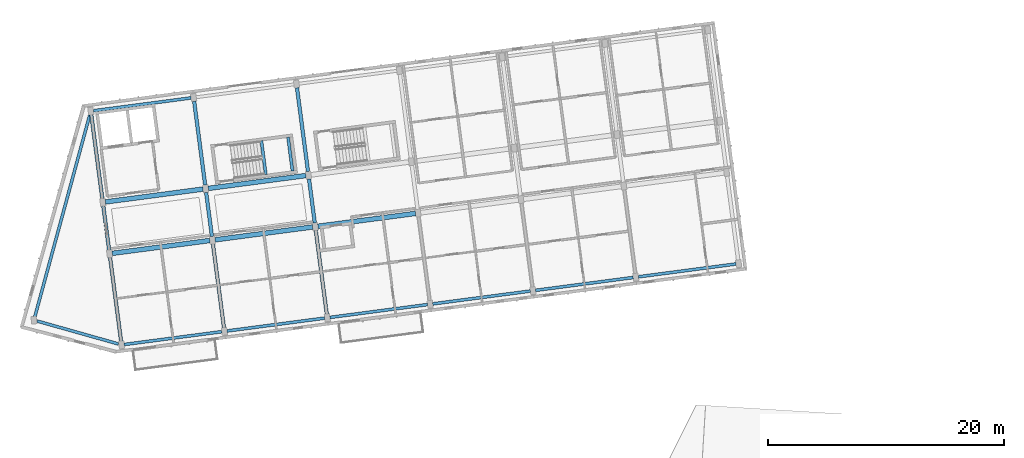
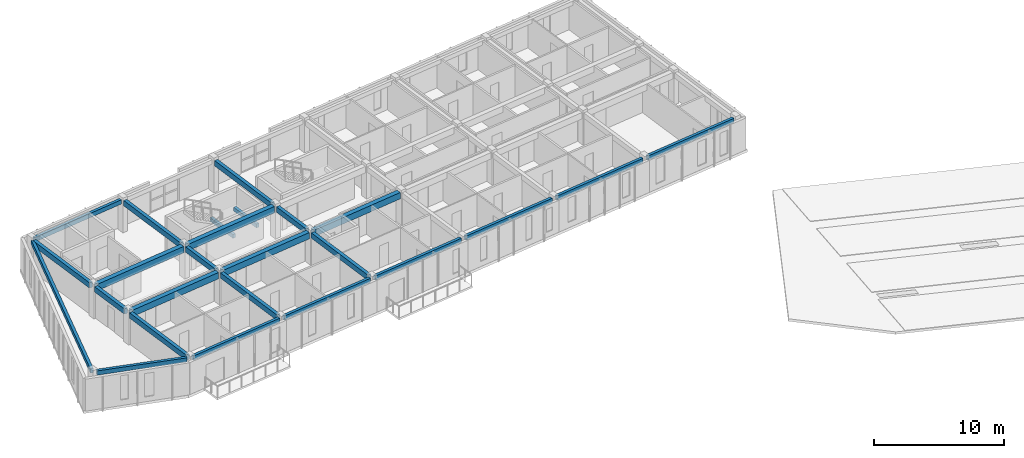
# One storey, part 3 of 34: 25 beams.
"""IFC4 building model written with IfcOpenShell, lengths in metres."""

from ifc_helpers import new_model, si_unit, direction, frame, origin, origin_2d, place, context, subcontext, project, spatial, rectangle, extrude, material, material_profile, profile_set, type_object, element, save


model = new_model("IFC4")

# Units and contexts
model_context = context("Model", 3, precision=1e-05, world=origin(), true_north=direction((0.0, 1.0)))
body_context = subcontext(model_context, "Body", "Model", "MODEL_VIEW")
ifc_project = project(units=[si_unit("LENGTHUNIT", "METRE"), si_unit("AREAUNIT", "SQUARE_METRE"), si_unit("VOLUMEUNIT", "CUBIC_METRE"), si_unit("PLANEANGLEUNIT", "RADIAN"), si_unit("MASSUNIT", "GRAM", prefix="KILO")], contexts=[model_context])

# Site, building, storey
site_placement = place(None, origin())
site = spatial("IfcSite", under=ifc_project, at=site_placement, CompositionType="ELEMENT")
building_placement = place(site_placement, origin())
building = spatial("IfcBuilding", under=site, at=building_placement, Name="Kestramere Prow Commons", CompositionType="ELEMENT")
storey_placement = place(building_placement, frame((0.0, 0.0, 34.39990234375)))
storey = spatial("IfcBuildingStorey", under=building, at=storey_placement, Name="L10", CompositionType="ELEMENT", Elevation=34.39990234375)

# Beams
ifc_material_1 = material(Name="Precast concrete C40/50", Category="concrete")
ifc_material_profile_1 = material_profile(ifc_material_1, rectangle(XDim=0.39990234375, YDim=0.60009765625, at=origin_2d()), Name="PC-BM 400x600")
ifc_profile_set_1 = profile_set([ifc_material_profile_1], Name="Precast concrete C40/50")
beam_type_1 = type_object("IfcBeamType", Name="BM-A1 PC-BM 400x600", PredefinedType="BEAM", material=ifc_profile_set_1)
for number, where, z_axis, x_axis, name in (
    (1, (10.405029296875, 79.7626953125, 2.7001953125), (0.991445635283, 0.13052031366, 0.0), (-0.13052031366, 0.991445635283, 0.0), "Block A L10 Longitudinal Beam 2-1"),
    (2, (19.129638671875, 80.911376953125, 2.7001953125), (0.991445635283, 0.13052031366, 0.0), (-0.13052031366, 0.991445635283, 0.0), "Block A L10 Longitudinal Beam 2-2"),
    (3, (27.8544921875, 82.059814453125, 2.7001953125), (0.991441851318, 0.130549053825, 0.0), (-0.130549053825, 0.991441851318, 0.0), "Block A L10 Longitudinal Beam 2-3"),
    (4, (9.83056640625, 84.125, 2.7001953125), (0.991445635283, 0.13052031366, 0.0), (-0.13052031366, 0.991445635283, 0.0), "Block A L10 Longitudinal Beam 3-1"),
    (5, (18.555419921875, 85.273681640625, 2.7001953125), (0.991445635283, 0.13052031366, 0.0), (-0.13052031366, 0.991445635283, 0.0), "Block A L10 Longitudinal Beam 3-2"),
):
    element("IfcBeam", number, at=place(storey_placement, frame(where, z_axis=z_axis, x_axis=x_axis)), inside=storey, type_object=beam_type_1, Name=name, PredefinedType="BEAM", context=body_context, shape_type="SweptSolid", body=[
        extrude(rectangle(XDim=0.39990234375, YDim=0.60009765625, at=origin_2d()), origin(), (0.0, 0.0, 1.0), 8.35009765625),
    ])
ifc_material_2 = material(Name="Concrete C40/50", Category="concrete")
ifc_material_profile_2 = material_profile(ifc_material_2, rectangle(XDim=0.25, YDim=0.35009765625, at=origin_2d()), Name="PC-BM 250x350")
ifc_profile_set_2 = profile_set([ifc_material_profile_2], Name="Concrete C40/50")
beam_type_2 = type_object("IfcBeamType", Name="BM-ST-TRIM", PredefinedType="BEAM", material=ifc_profile_set_2)
for number, where, z_axis, x_axis, name in (
    (6, (23.4384765625, 86.451171875, 1.25), (-0.130520071219, 0.9914456672, 0.0), (-0.9914456672, -0.130520071219, 0.0), "ST-A1 L10 Landing Trimmer Beam 1A"),
    (7, (25.698974609375, 86.748779296875, 1.25), (-0.130520071219, 0.9914456672, 0.0), (-0.9914456672, -0.130520071219, 0.0), "ST-A1 L10 Landing Trimmer Beam 1B"),
):
    element("IfcBeam", number, at=place(storey_placement, frame(where, z_axis=z_axis, x_axis=x_axis)), inside=storey, type_object=beam_type_2, Name=name, PredefinedType="BEAM", context=body_context, shape_type="SweptSolid", body=[
        extrude(rectangle(XDim=0.25, YDim=0.35009765625, at=origin_2d()), origin(), (0.0, 0.0, 1.0), 2.889892578125),
    ])
ifc_material_profile_3 = material_profile(ifc_material_1, rectangle(XDim=0.300048828125, YDim=0.5, at=origin_2d()), Name="PC-BM 300x500")
ifc_profile_set_3 = profile_set([ifc_material_profile_3], Name="Precast concrete C40/50")
beam_type_3 = type_object("IfcBeamType", Name="BM-TIE-01 PC-BM 300x500", PredefinedType="BEAM", material=ifc_profile_set_3)
beam_1_placement = place(storey_placement, frame((11.157470703125, 72.322265625, 2.75), z_axis=(-0.130503975686, 0.991447785983, 0.0), x_axis=(-0.991447785983, -0.130503975686, 0.0)))
element("IfcBeam", 8, at=beam_1_placement, inside=storey, type_object=beam_type_3, Name="Block A L10 Transverse Beam 1-1", PredefinedType="BEAM", context=body_context, shape_type="SweptSolid", body=[
    extrude(rectangle(XDim=0.300048828125, YDim=0.5, at=origin_2d()), origin(), (0.0, 0.0, 1.0), 7.14990234375),
])
beam_2_placement = place(storey_placement, frame((10.139404296875, 80.055419921875, 2.75), z_axis=(-0.130530295097, 0.991444321211, 0.0), x_axis=(-0.991444321211, -0.130530295097, 0.0)))
element("IfcBeam", 9, at=beam_2_placement, inside=storey, type_object=beam_type_3, Name="Block A L10 Transverse Beam 1-2", PredefinedType="BEAM", context=body_context, shape_type="SweptSolid", body=[
    extrude(rectangle(XDim=0.300048828125, YDim=0.5, at=origin_2d()), origin(), (0.0, 0.0, 1.0), 3.75),
])
for number, where, z_axis, x_axis, name in (
    (10, (9.565185546875, 84.41796875, 2.75), (-0.130541958643, 0.991442785557, 0.0), (-0.991442785557, -0.130541958643, 0.0), "Block A L10 Transverse Beam 1-3"),
    (11, (19.88232421875, 73.470947265625, 2.75), (-0.130541958643, 0.991442785557, 0.0), (-0.991442785557, -0.130541958643, 0.0), "Block A L10 Transverse Beam 2-1"),
):
    element("IfcBeam", number, at=place(storey_placement, frame(where, z_axis=z_axis, x_axis=x_axis)), inside=storey, type_object=beam_type_3, Name=name, PredefinedType="BEAM", context=body_context, shape_type="SweptSolid", body=[
        extrude(rectangle(XDim=0.300048828125, YDim=0.5, at=origin_2d()), origin(), (0.0, 0.0, 1.0), 7.14990234375),
    ])
beam_3_placement = place(storey_placement, frame((18.8642578125, 81.2041015625, 2.75), z_axis=(-0.130530295097, 0.991444321211, 0.0), x_axis=(-0.991444321211, -0.130530295097, 0.0)))
element("IfcBeam", 12, at=beam_3_placement, inside=storey, type_object=beam_type_3, Name="Block A L10 Transverse Beam 2-2", PredefinedType="BEAM", context=body_context, shape_type="SweptSolid", body=[
    extrude(rectangle(XDim=0.300048828125, YDim=0.5, at=origin_2d()), origin(), (0.0, 0.0, 1.0), 3.75),
])
for number, where, z_axis, x_axis, name in (
    (13, (18.289794921875, 85.56640625, 2.75), (-0.130503975686, 0.991447785983, 0.0), (-0.991447785983, -0.130503975686, 0.0), "Block A L10 Transverse Beam 2-3"),
    (14, (28.60693359375, 74.619384765625, 2.75), (-0.130503975686, 0.991447785983, 0.0), (-0.991447785983, -0.130503975686, 0.0), "Block A L10 Transverse Beam 3-1"),
):
    element("IfcBeam", number, at=place(storey_placement, frame(where, z_axis=z_axis, x_axis=x_axis)), inside=storey, type_object=beam_type_3, Name=name, PredefinedType="BEAM", context=body_context, shape_type="SweptSolid", body=[
        extrude(rectangle(XDim=0.300048828125, YDim=0.5, at=origin_2d()), origin(), (0.0, 0.0, 1.0), 7.14990234375),
    ])
beam_4_placement = place(storey_placement, frame((27.5888671875, 82.352783203125, 2.75), z_axis=(-0.130538720766, 0.991443211879, 0.0), x_axis=(-0.991443211879, -0.130538720766, 0.0)))
element("IfcBeam", 15, at=beam_4_placement, inside=storey, type_object=beam_type_3, Name="Block A L10 Transverse Beam 3-2", PredefinedType="BEAM", context=body_context, shape_type="SweptSolid", body=[
    extrude(rectangle(XDim=0.300048828125, YDim=0.5, at=origin_2d()), origin(), (0.0, 0.0, 1.0), 3.749755859375),
])
beam_5_placement = place(storey_placement, frame((27.0146484375, 86.715087890625, 2.75), z_axis=(-0.130537539388, 0.991443367425, 0.0), x_axis=(-0.991443367425, -0.130537539388, 0.0)))
element("IfcBeam", 16, at=beam_5_placement, inside=storey, type_object=beam_type_3, Name="Block A L10 Transverse Beam 3-3", PredefinedType="BEAM", context=body_context, shape_type="SweptSolid", body=[
    extrude(rectangle(XDim=0.300048828125, YDim=0.5, at=origin_2d()), origin(), (0.0, 0.0, 1.0), 7.150146484375),
])
ifc_material_profile_4 = material_profile(ifc_material_1, rectangle(XDim=0.25, YDim=0.39990234375, at=origin_2d()), Name="PC-SP 250x400")
ifc_profile_set_4 = profile_set([ifc_material_profile_4], Name="Precast concrete C40/50")
beam_type_4 = type_object("IfcBeamType", Name="SP-EXT-01 PC-SP 250x400", PredefinedType="SPANDREL", material=ifc_profile_set_4)
beam_6_placement = place(storey_placement, frame((10.930419921875, 72.075927734375, 2.800048828125), z_axis=(-0.96246176941, 0.271417284681, 0.0), x_axis=(-0.271417284681, -0.96246176941, 0.0)))
element("IfcBeam", 17, at=beam_6_placement, inside=storey, type_object=beam_type_4, Name="Block A L10 Prow Facet Beam S", PredefinedType="SPANDREL", context=body_context, shape_type="SweptSolid", body=[
    extrude(rectangle(XDim=0.25, YDim=0.39990234375, at=origin_2d()), origin(), (0.0, 0.0, 1.0), 7.167236328125),
])
beam_7_placement = place(storey_placement, frame((8.515869140625, 91.558837890625, 2.800048828125), z_axis=(-0.262653591278, -0.964890196338, 0.0), x_axis=(0.964890196338, -0.262653591278, 0.0)))
element("IfcBeam", 18, at=beam_7_placement, inside=storey, type_object=beam_type_4, Name="Block A L10 Prow Facet Beam N", PredefinedType="SPANDREL", context=body_context, shape_type="SweptSolid", body=[
    extrude(rectangle(XDim=0.25, YDim=0.39990234375, at=origin_2d()), origin(), (0.0, 0.0, 1.0), 17.81689453125),
])
for number, where, z_axis, x_axis, name in (
    (19, (11.423095703125, 72.029296875, 2.800048828125), (0.991445635283, 0.13052031366, 0.0), (-0.13052031366, 0.991445635283, 0.0), "Block A L10 Longitudinal Beam 1-1"),
    (20, (20.147705078125, 73.177978515625, 2.800048828125), (0.991445635283, 0.13052031366, 0.0), (-0.13052031366, 0.991445635283, 0.0), "Block A L10 Longitudinal Beam 1-2"),
    (21, (28.87255859375, 74.32666015625, 2.800048828125), (0.991445635283, 0.13052031366, 0.0), (-0.13052031366, 0.991445635283, 0.0), "Block A L10 Longitudinal Beam 1-3"),
    (22, (37.59716796875, 75.475341796875, 2.800048828125), (0.991445635283, 0.13052031366, 0.0), (-0.13052031366, 0.991445635283, 0.0), "Block A L10 Longitudinal Beam 1-4"),
    (23, (46.322021484375, 76.623779296875, 2.800048828125), (0.991441851318, 0.130549053825, 0.0), (-0.130549053825, 0.991441851318, 0.0), "Block A L10 Longitudinal Beam 1-5"),
    (24, (55.046630859375, 77.7724609375, 2.800048828125), (0.991445635283, 0.13052031366, 0.0), (-0.13052031366, 0.991445635283, 0.0), "Block A L10 Longitudinal Beam 1-6"),
    (25, (8.8125, 91.858154296875, 2.800048828125), (0.991441851318, 0.130549053825, 0.0), (-0.130549053825, 0.991441851318, 0.0), "Block A L10 Longitudinal Beam 4-1"),
):
    element("IfcBeam", number, at=place(storey_placement, frame(where, z_axis=z_axis, x_axis=x_axis)), inside=storey, type_object=beam_type_4, Name=name, PredefinedType="SPANDREL", context=body_context, shape_type="SweptSolid", body=[
        extrude(rectangle(XDim=0.25, YDim=0.39990234375, at=origin_2d()), origin(), (0.0, 0.0, 1.0), 8.35009765625),
    ])

save(model, "model.ifc")
